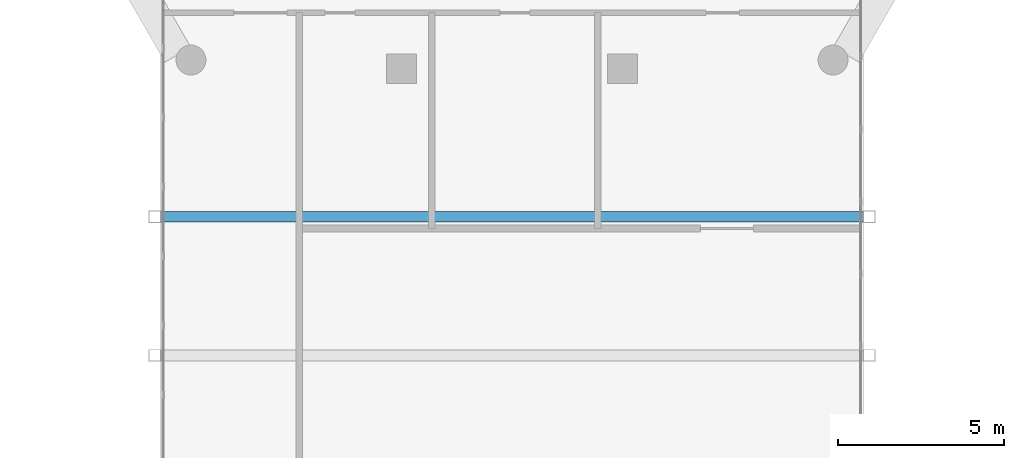
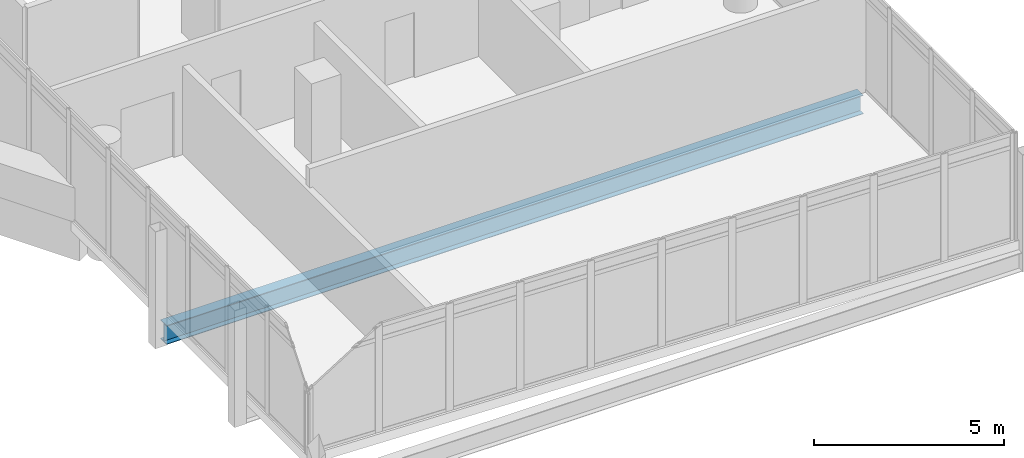
# One storey, part 7 of 37: 1 beam.
"""IFC4 building model written with IfcOpenShell, lengths in metres."""

from ifc_helpers import new_model, si_unit, direction, frame, origin, origin_2d, place, context, subcontext, project, spatial, i_section, extrude, material, material_profile, profile_set, type_object, element, save


model = new_model("IFC4")

# Units and contexts
model_context = context("Model", 3, precision=1e-05, world=origin(), true_north=direction((0.0, 1.0)))
body_context = subcontext(model_context, "Body", "Model", "MODEL_VIEW")
ifc_project = project(units=[si_unit("LENGTHUNIT", "METRE"), si_unit("AREAUNIT", "SQUARE_METRE"), si_unit("VOLUMEUNIT", "CUBIC_METRE"), si_unit("PLANEANGLEUNIT", "RADIAN"), si_unit("MASSUNIT", "GRAM", prefix="KILO")], contexts=[model_context])

# Site, building, storey
site_placement = place(None, origin())
site = spatial("IfcSite", under=ifc_project, at=site_placement, CompositionType="ELEMENT")
building_placement = place(site_placement, origin())
building = spatial("IfcBuilding", under=site, at=building_placement, Name="Ostrander Bayou Hotel Tower", CompositionType="ELEMENT")
storey_placement = place(building_placement, frame((0.0, 0.0, 225.75)))
storey = spatial("IfcBuildingStorey", under=building, at=storey_placement, Name="L56", CompositionType="ELEMENT", Elevation=225.75)

# Beam
ifc_material = material(Name="Steel ASTM A992", Category="steel")
ifc_material_profile = material_profile(ifc_material, i_section(OverallWidth=0.32373046875, OverallDepth=0.611083984375, WebThickness=0.0126953125, FlangeThickness=0.01904296875, at=origin_2d()))
ifc_profile_set = profile_set([ifc_material_profile], Name="Steel ASTM A992")
beam_type = type_object("IfcBeamType", Name="TF2 bar floor beam W24x104", PredefinedType="BEAM", material=ifc_profile_set)
beam_placement = place(storey_placement, frame((-10.587158203125, -21.147705078125, -0.605712890625), z_axis=(1.0, 0.0, 0.0), x_axis=(0.0, 1.0, 0.0)))
element("IfcBeam", 1, at=beam_placement, inside=storey, type_object=beam_type, Name="TF2 SB5S L2-1", PredefinedType="BEAM", context=body_context, shape_type="SweptSolid", body=[
    extrude(i_section(OverallWidth=0.32373046875, OverallDepth=0.611083984375, WebThickness=0.0126953125, FlangeThickness=0.01904296875, at=origin_2d()), origin(), (0.0, 0.0, 1.0), 21.17431640625),
])

save(model, "model.ifc")
